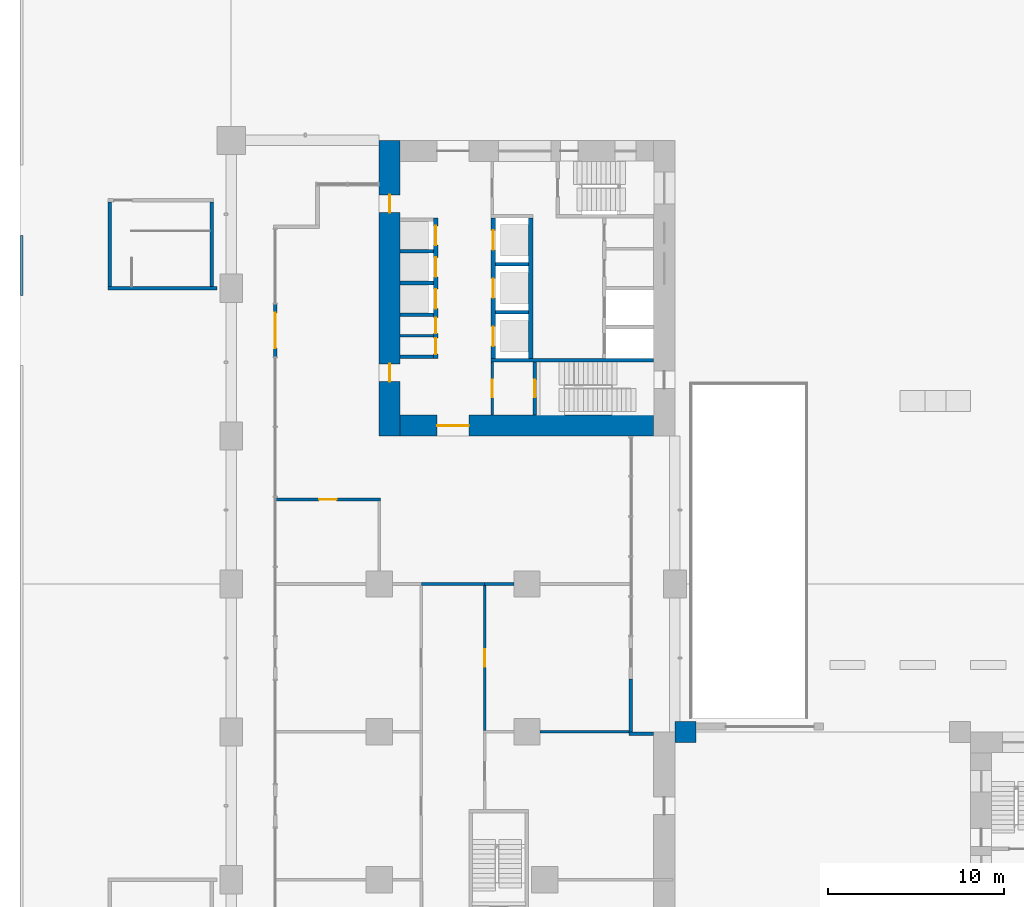
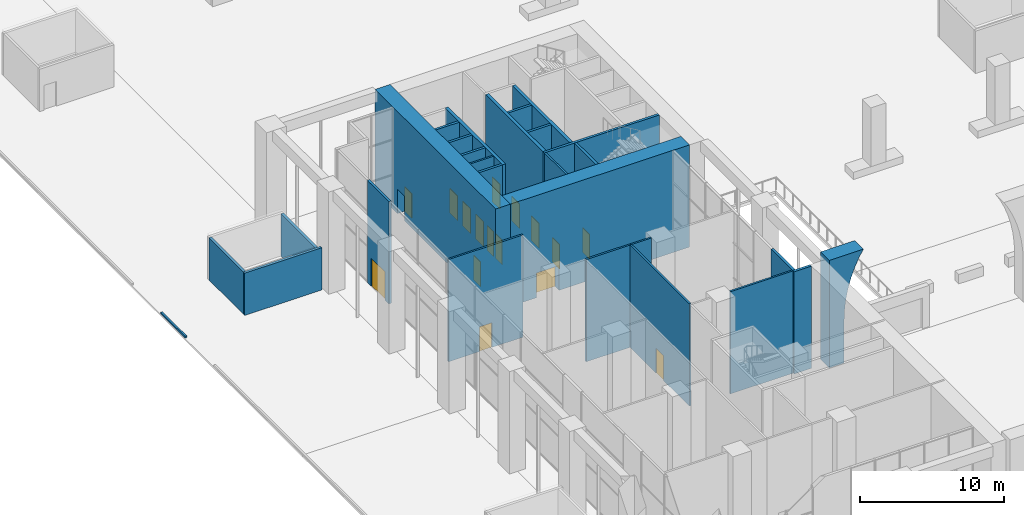
# One storey, part 21 of 46: 28 walls, 16 doors, 16 openings.
"""IFC4 building model written with IfcOpenShell, lengths in metres."""

from ifc_helpers import new_model, si_unit, direction, frame, frame_2d, origin, place, context, subcontext, project, spatial, polyline, rectangle, outline, extrude, material, layer, layer_set, type_object, element, fill, save


model = new_model("IFC4")

# Units and contexts
model_context = context("Model", 3, precision=1e-05, world=origin(), true_north=direction((0.0, 1.0)))
body_context = subcontext(model_context, "Body", "Model", "MODEL_VIEW")
ifc_project = project(units=[si_unit("LENGTHUNIT", "METRE"), si_unit("AREAUNIT", "SQUARE_METRE"), si_unit("VOLUMEUNIT", "CUBIC_METRE"), si_unit("PLANEANGLEUNIT", "RADIAN"), si_unit("MASSUNIT", "GRAM", prefix="KILO")], contexts=[model_context])

# Site, building, storey
site_placement = place(None, origin())
site = spatial("IfcSite", under=ifc_project, at=site_placement, CompositionType="ELEMENT")
building_placement = place(site_placement, origin())
building = spatial("IfcBuilding", under=site, at=building_placement, Name="Vermilion Gate Residences", CompositionType="ELEMENT")
storey_placement = place(building_placement, origin())
storey = spatial("IfcBuildingStorey", under=building, at=storey_placement, Name="L00", CompositionType="ELEMENT", Elevation=0.0)

# Wall
ifc_material_1 = material(Name="Masonry blockwork", Category="masonry")
ifc_layer_1 = layer(ifc_material_1, 0.14990234375)
ifc_layer_set_1 = layer_set([ifc_layer_1], Name="BLOCKWORK PARTITION 150 EI 120")
wall_type_1 = type_object("IfcWallType", Name="BLOCKWORK PARTITION 150 EI 120", PredefinedType="PARTITIONING", material=ifc_layer_set_1)
wall_1_placement = place(storey_placement, frame((9.60009765625, 47.699951171875, 0.0), z_axis=(0.0, 0.0, 1.0), x_axis=(1.0, 0.0, 0.0)))
element("IfcWall", 1, at=wall_1_placement, inside=storey, type_object=wall_type_1, Name="Core room partition B00-SR-P0", PredefinedType="PARTITIONING", context=body_context, shape_type="SweptSolid", body=[
    extrude(rectangle(XDim=1.89990234375, YDim=0.14990234375, at=frame_2d((0.949951171875, 0.0))), origin(), (0.0, 0.0, 1.0), 8.699951171875),
])

# Wall, opening, door
wall_2_placement = place(storey_placement, frame((14.824951171875, 46.199951171875, 0.0), z_axis=(0.0, 0.0, 1.0), x_axis=(0.0, -1.0, 0.0)))
wall_2 = element("IfcWall", 2, at=wall_2_placement, inside=storey, type_object=wall_type_1, Name="Core room partition B00-VE-S", PredefinedType="PARTITIONING", context=body_context, shape_type="SweptSolid", body=[
    extrude(rectangle(XDim=3.0, YDim=0.14990234375, at=frame_2d((1.5, 0.0))), origin(), (0.0, 0.0, 1.0), 8.699951171875),
])
opening_1_placement = place(wall_2_placement, frame((1.0, 0.0, 0.0)))
opening_1 = element("IfcOpeningElement", 3, at=opening_1_placement, cuts=wall_2, Name="Opening DK00121", PredefinedType="OPENING", context=body_context, shape_type="SweptSolid", body=[
    extrude(rectangle(XDim=1.0, YDim=2.10009765625, at=frame_2d((0.5, 1.050048828125))), frame((0.0, 0.0849609375, 0.0), z_axis=(0.0, -1.0, 0.0), x_axis=(1.0, 0.0, 0.0)), (0.0, 0.0, 1.0), 0.169921875),
])
ifc_material_2 = material(Name="Steel", Category="steel")
door_type_1 = type_object("IfcDoorType", Name="FIRE DOOR FD60 1000 X 2100", OperationType="SINGLE_SWING_LEFT", PredefinedType="DOOR", material=ifc_material_2)
door_1_placement = place(opening_1_placement, frame((1.0, 0.0, 0.0), z_axis=(0.0, 0.0, 1.0), x_axis=(-1.0, 0.0, 0.0)))
door_1 = element("IfcDoor", 4, at=door_1_placement, inside=storey, type_object=door_type_1, Name="Stair vestibule door B00", OperationType="SINGLE_SWING_LEFT", OverallHeight=2.10009765625, OverallWidth=1.0, PredefinedType="DOOR", context=body_context, shape_type="SweptSolid", body=[
    extrude(rectangle(XDim=1.0, YDim=2.10009765625, at=frame_2d((0.5, 1.050048828125))), frame((0.0, 0.02490234375, 0.0), z_axis=(0.0, -1.0, 0.0), x_axis=(1.0, 0.0, 0.0)), (0.0, 0.0, 1.0), 0.050048828125),
])
fill(opening_1, door_1)

ifc_material_3 = material(Name="Insulated steel stud wall with terracotta rainscreen", Category="masonry")
ifc_layer_2 = layer(ifc_material_3, 0.199951171875)
ifc_layer_set_2 = layer_set([ifc_layer_2], Name="EXTERNAL WALL 200 TERRACOTTA RAINSCREEN")
wall_type_2 = type_object("IfcWallType", Name="EXTERNAL WALL 200 TERRACOTTA RAINSCREEN", PredefinedType="SOLIDWALL", material=ifc_layer_set_2)
wall_3_placement = place(storey_placement, frame((2.5, 49.5, 0.0), z_axis=(0.0, 0.0, 1.0), x_axis=(0.0, -1.0, 0.0)))
wall_3 = element("IfcWall", 5, at=wall_3_placement, inside=storey, type_object=wall_type_2, Name="External wall", PredefinedType="SOLIDWALL", context=body_context, shape_type="SweptSolid", body=[
    extrude(rectangle(XDim=3.0, YDim=0.199951171875, at=frame_2d((1.5, 0.0))), origin(), (0.0, 0.0, 1.0), 8.699951171875),
])
opening_2_placement = place(wall_3_placement, frame((0.5, 0.0, 0.0)))
opening_2 = element("IfcOpeningElement", 6, at=opening_2_placement, cuts=wall_3, Name="Opening DE00001", PredefinedType="OPENING", context=body_context, shape_type="SweptSolid", body=[
    extrude(rectangle(XDim=2.0, YDim=2.39990234375, at=frame_2d((1.0, 1.199951171875))), frame((0.0, 0.10986328125, 0.0), z_axis=(0.0, -1.0, 0.0), x_axis=(1.0, 0.0, 0.0)), (0.0, 0.0, 1.0), 0.219970703125),
])
ifc_material_4 = material(Name="Aluminium and clear glass", Category="aluminium")
door_type_2 = type_object("IfcDoorType", Name="GLAZED EXTERNAL DOOR 2000 X 2400", OperationType="DOUBLE_DOOR_SINGLE_SWING", PredefinedType="DOOR", material=ifc_material_4)
door_2_placement = place(opening_2_placement, frame((2.0, 0.0, 0.0), z_axis=(0.0, 0.0, 1.0), x_axis=(-1.0, 0.0, 0.0)))
door_2 = element("IfcDoor", 7, at=door_2_placement, inside=storey, type_object=door_type_2, Name="Entrance door", OperationType="DOUBLE_DOOR_SINGLE_SWING", OverallHeight=2.39990234375, OverallWidth=2.0, PredefinedType="DOOR", context=body_context, shape_type="SweptSolid", body=[
    extrude(rectangle(XDim=2.0, YDim=2.39990234375, at=frame_2d((1.0, 1.199951171875))), frame((0.0, 0.02490234375, 0.0), z_axis=(0.0, -1.0, 0.0), x_axis=(1.0, 0.0, 0.0)), (0.0, 0.0, 1.0), 0.050048828125),
])
fill(opening_2, door_2)

# Walls
wall_4_placement = place(storey_placement, frame((24.0, 25.10009765625, 0.0), z_axis=(0.0, 0.0, 1.0), x_axis=(-1.0, 0.0, 0.0)))
element("IfcWall", 8, at=wall_4_placement, inside=storey, type_object=wall_type_2, Name="External wall", PredefinedType="SOLIDWALL", context=body_context, shape_type="SweptSolid", body=[
    extrude(rectangle(XDim=1.39990234375, YDim=0.199951171875, at=frame_2d((0.699951171875, 0.0))), origin(), (0.0, 0.0, 1.0), 8.699951171875),
])
wall_5_placement = place(storey_placement, frame((22.699951171875, 25.199951171875, 0.0), z_axis=(0.0, 0.0, 1.0), x_axis=(0.0, 1.0, 0.0)))
element("IfcWall", 9, at=wall_5_placement, inside=storey, type_object=wall_type_2, Name="External wall", PredefinedType="SOLIDWALL", context=body_context, shape_type="SweptSolid", body=[
    extrude(rectangle(XDim=3.0, YDim=0.199951171875, at=frame_2d((1.5, 0.0))), origin(), (0.0, 0.0, 1.0), 8.699951171875),
])
ifc_material_5 = material(Name="Concrete C35", Category="concrete")
ifc_layer_3 = layer(ifc_material_5, 0.14990234375)
ifc_layer_set_3 = layer_set([ifc_layer_3], Name="KERB 150 X 150 C35 (MARKET HALL)")
wall_type_3 = type_object("IfcWallType", Name="KERB 150 X 150 C35 (MARKET HALL)", PredefinedType="SOLIDWALL", material=ifc_layer_set_3)
wall_6_placement = place(storey_placement, frame((-11.905029296875, 50.0, 0.0), z_axis=(0.0, 0.0, 1.0), x_axis=(0.0, 1.0, 0.0)))
element("IfcWall", 10, at=wall_6_placement, inside=storey, type_object=wall_type_3, Name="Kerb west edge 3", PredefinedType="SOLIDWALL", context=body_context, shape_type="SweptSolid", body=[
    extrude(rectangle(XDim=3.39990234375, YDim=0.14990234375, at=frame_2d((1.699951171875, 0.0))), origin(), (0.0, 0.0, 1.0), 0.14990234375),
])

# Wall, opening, door
ifc_material_6 = material(Name="Gypsum board on steel studs", Category="steel")
ifc_layer_4 = layer(ifc_material_6, 0.14990234375)
ifc_layer_set_4 = layer_set([ifc_layer_4], Name="PARTITION 150 EI 60 (AMENITY)")
wall_type_4 = type_object("IfcWallType", Name="PARTITION 150 EI 60 (AMENITY)", PredefinedType="PARTITIONING", material=ifc_layer_set_4)
wall_7_placement = place(storey_placement, frame((2.5, 38.39990234375, 0.0), z_axis=(0.0, 0.0, 1.0), x_axis=(1.0, 0.0, 0.0)))
wall_7 = element("IfcWall", 11, at=wall_7_placement, inside=storey, type_object=wall_type_4, Name="Partition 8", PredefinedType="PARTITIONING", context=body_context, shape_type="SweptSolid", body=[
    extrude(rectangle(XDim=5.97509765625, YDim=0.14990234375, at=frame_2d((2.987548828125, 0.0))), origin(), (0.0, 0.0, 1.0), 8.699951171875),
])
opening_3_placement = place(wall_7_placement, frame((2.487548828125, 0.0, 0.0)))
opening_3 = element("IfcOpeningElement", 12, at=opening_3_placement, cuts=wall_7, Name="Opening DM00008", PredefinedType="OPENING", context=body_context, shape_type="SweptSolid", body=[
    extrude(rectangle(XDim=1.0, YDim=2.10009765625, at=frame_2d((0.5, 1.050048828125))), frame((0.0, 0.0849609375, 0.0), z_axis=(0.0, -1.0, 0.0), x_axis=(1.0, 0.0, 0.0)), (0.0, 0.0, 1.0), 0.169921875),
])
ifc_material_7 = material(Name="Steel", Category="steel")
door_type_3 = type_object("IfcDoorType", Name="DOOR 1000 X 2100 FD30 (AMENITY)", OperationType="SINGLE_SWING_LEFT", PredefinedType="DOOR", material=ifc_material_7)
door_3_placement = place(opening_3_placement, frame((1.0, 0.0, 0.0), z_axis=(0.0, 0.0, 1.0), x_axis=(-1.0, 0.0, 0.0)))
door_3 = element("IfcDoor", 13, at=door_3_placement, inside=storey, type_object=door_type_3, Name="Door L00 8", OperationType="SINGLE_SWING_LEFT", OverallHeight=2.10009765625, OverallWidth=1.0, PredefinedType="DOOR", context=body_context, shape_type="SweptSolid", body=[
    extrude(rectangle(XDim=1.0, YDim=2.10009765625, at=frame_2d((0.5, 1.050048828125))), frame((0.0, 0.02490234375, 0.0), z_axis=(0.0, -1.0, 0.0), x_axis=(1.0, 0.0, 0.0)), (0.0, 0.0, 1.0), 0.050048828125),
])
fill(opening_3, door_3)

# Wall
wall_8_placement = place(storey_placement, frame((10.800048828125, 33.60009765625, 0.0), z_axis=(0.0, 0.0, 1.0), x_axis=(1.0, 0.0, 0.0)))
element("IfcWall", 14, at=wall_8_placement, inside=storey, type_object=wall_type_4, Name="Partition 15", PredefinedType="PARTITIONING", context=body_context, shape_type="SweptSolid", body=[
    extrude(rectangle(XDim=3.599853515625, YDim=0.14990234375, at=frame_2d((1.7998046875, 0.0))), origin(), (0.0, 0.0, 1.0), 8.699951171875),
])

# Wall, opening, door
wall_9_placement = place(storey_placement, frame((14.39990234375, 25.27490234375, 0.0), z_axis=(0.0, 0.0, 1.0), x_axis=(0.0, 1.0, 0.0)))
wall_9 = element("IfcWall", 15, at=wall_9_placement, inside=storey, type_object=wall_type_4, Name="Partition 20", PredefinedType="PARTITIONING", context=body_context, shape_type="SweptSolid", body=[
    extrude(rectangle(XDim=8.25, YDim=0.14990234375, at=frame_2d((4.125, 0.0))), origin(), (0.0, 0.0, 1.0), 8.699951171875),
])
opening_4_placement = place(wall_9_placement, frame((3.625, 0.0, 0.0)))
opening_4 = element("IfcOpeningElement", 16, at=opening_4_placement, cuts=wall_9, Name="Opening DM00006", PredefinedType="OPENING", context=body_context, shape_type="SweptSolid", body=[
    extrude(rectangle(XDim=1.0, YDim=2.10009765625, at=frame_2d((0.5, 1.050048828125))), frame((0.0, 0.0849609375, 0.0), z_axis=(0.0, -1.0, 0.0), x_axis=(1.0, 0.0, 0.0)), (0.0, 0.0, 1.0), 0.169921875),
])
ifc_material_8 = material(Name="Glass", Category="glass")
door_type_4 = type_object("IfcDoorType", Name="GLASS DOOR 1000 X 2100 (AMENITY)", OperationType="SINGLE_SWING_LEFT", PredefinedType="DOOR", material=ifc_material_8)
door_4_placement = place(opening_4_placement, frame((1.0, 0.0, 0.0), z_axis=(0.0, 0.0, 1.0), x_axis=(-1.0, 0.0, 0.0)))
door_4 = element("IfcDoor", 17, at=door_4_placement, inside=storey, type_object=door_type_4, Name="Door L00 6", OperationType="SINGLE_SWING_RIGHT", OverallHeight=2.10009765625, OverallWidth=1.0, PredefinedType="DOOR", context=body_context, shape_type="SweptSolid", body=[
    extrude(rectangle(XDim=1.0, YDim=2.10009765625, at=frame_2d((0.5, 1.050048828125))), frame((0.0, 0.02490234375, 0.0), z_axis=(0.0, -1.0, 0.0), x_axis=(1.0, 0.0, 0.0)), (0.0, 0.0, 1.0), 0.050048828125),
])
fill(opening_4, door_4)

# Walls
wall_10_placement = place(storey_placement, frame((17.550048828125, 25.199951171875, 0.0), z_axis=(0.0, 0.0, 1.0), x_axis=(1.0, 0.0, 0.0)))
element("IfcWall", 18, at=wall_10_placement, inside=storey, type_object=wall_type_4, Name="Partition 22", PredefinedType="PARTITIONING", context=body_context, shape_type="SweptSolid", body=[
    extrude(rectangle(XDim=5.14990234375, YDim=0.14990234375, at=frame_2d((2.574951171875, 0.0))), origin(), (0.0, 0.0, 1.0), 8.699951171875),
])
wall_11_placement = place(storey_placement, frame((14.39990234375, 33.60009765625, 0.0), z_axis=(0.0, 0.0, 1.0), x_axis=(1.0, 0.0, 0.0)))
element("IfcWall", 19, at=wall_11_placement, inside=storey, type_object=wall_type_4, Name="Partition 23", PredefinedType="PARTITIONING", context=body_context, shape_type="SweptSolid", body=[
    extrude(rectangle(XDim=1.650146484375, YDim=0.14990234375, at=frame_2d((0.8251953125, 0.0))), origin(), (0.0, 0.0, 1.0), 8.699951171875),
])
ifc_material_9 = material(Name="Concrete C60", Category="concrete")
ifc_layer_5 = layer(ifc_material_9, 0.199951171875)
ifc_layer_set_5 = layer_set([ifc_layer_5], Name="RC CORE INTERNAL WALL 200 C60")
wall_type_5 = type_object("IfcWallType", Name="RC CORE INTERNAL WALL 200 C60", PredefinedType="SHEAR", material=ifc_layer_set_5)
for number, where, z_axis, x_axis, name in (
    (20, (9.60009765625, 52.5, 0.0), (0.0, 0.0, 1.0), (1.0, 0.0, 0.0), "Core internal wall B00-LR-D1"),
    (21, (9.60009765625, 50.699951171875, 0.0), (0.0, 0.0, 1.0), (1.0, 0.0, 0.0), "Core internal wall B00-LR-D2"),
    (22, (9.60009765625, 48.89990234375, 0.0), (0.0, 0.0, 1.0), (1.0, 0.0, 0.0), "Core internal wall B00-LR-D3"),
    (23, (9.60009765625, 46.5, 0.0), (0.0, 0.0, 1.0), (1.0, 0.0, 0.0), "Core internal wall B00-LR-DE"),
    (24, (15.0, 51.7666015625, 0.0), (0.0, 0.0, 1.0), (1.0, 0.0, 0.0), "Core internal wall B00-HR-D1"),
    (25, (15.0, 49.033447265625, 0.0), (0.0, 0.0, 1.0), (1.0, 0.0, 0.0), "Core internal wall B00-HR-D2"),
):
    element("IfcWall", number, at=place(storey_placement, frame(where, z_axis=z_axis, x_axis=x_axis)), inside=storey, type_object=wall_type_5, Name=name, PredefinedType="SHEAR", context=body_context, shape_type="SweptSolid", body=[
        extrude(rectangle(XDim=1.89990234375, YDim=0.199951171875, at=frame_2d((0.949951171875, 0.0))), origin(), (0.0, 0.0, 1.0), 8.699951171875),
    ])
wall_12_placement = place(storey_placement, frame((14.75, 46.300048828125, 0.0), z_axis=(0.0, 0.0, 1.0), x_axis=(1.0, 0.0, 0.0)))
element("IfcWall", 26, at=wall_12_placement, inside=storey, type_object=wall_type_5, Name="Core internal wall B00-EDIV", PredefinedType="SHEAR", context=body_context, shape_type="SweptSolid", body=[
    extrude(rectangle(XDim=9.25, YDim=0.199951171875, at=frame_2d((4.625, 0.0))), origin(), (0.0, 0.0, 1.0), 8.699951171875),
])

# Wall, opening, door
wall_13_placement = place(storey_placement, frame((17.25, 46.199951171875, 0.0), z_axis=(0.0, 0.0, 1.0), x_axis=(0.0, -1.0, 0.0)))
wall_13 = element("IfcWall", 27, at=wall_13_placement, inside=storey, type_object=wall_type_5, Name="Core internal wall B00-STE-S", PredefinedType="SHEAR", context=body_context, shape_type="SweptSolid", body=[
    extrude(rectangle(XDim=3.0, YDim=0.199951171875, at=frame_2d((1.5, 0.0))), origin(), (0.0, 0.0, 1.0), 8.699951171875),
])
opening_5_placement = place(wall_13_placement, frame((1.0, 0.0, 0.0)))
opening_5 = element("IfcOpeningElement", 28, at=opening_5_placement, cuts=wall_13, Name="Opening DK00122", PredefinedType="OPENING", context=body_context, shape_type="SweptSolid", body=[
    extrude(rectangle(XDim=1.0, YDim=2.10009765625, at=frame_2d((0.5, 1.050048828125))), frame((0.0, 0.10986328125, 0.0), z_axis=(0.0, -1.0, 0.0), x_axis=(1.0, 0.0, 0.0)), (0.0, 0.0, 1.0), 0.219970703125),
])
door_5_placement = place(opening_5_placement, origin())
door_5 = element("IfcDoor", 29, at=door_5_placement, inside=storey, type_object=door_type_1, Name="Stair door B00", OperationType="SINGLE_SWING_LEFT", OverallHeight=2.10009765625, OverallWidth=1.0, PredefinedType="DOOR", context=body_context, shape_type="SweptSolid", body=[
    extrude(rectangle(XDim=1.0, YDim=2.10009765625, at=frame_2d((0.5, 1.050048828125))), frame((0.0, 0.02490234375, 0.0), z_axis=(0.0, -1.0, 0.0), x_axis=(1.0, 0.0, 0.0)), (0.0, 0.0, 1.0), 0.050048828125),
])
fill(opening_5, door_5)

# Wall, openings, doors
ifc_material_10 = material(Name="Concrete C80", Category="concrete")
ifc_layer_6 = layer(ifc_material_10, 1.199951171875)
ifc_layer_set_6 = layer_set([ifc_layer_6], Name="RC CORE WALL 1200 C80")
wall_type_6 = type_object("IfcWallType", Name="RC CORE WALL 1200 C80", PredefinedType="SHEAR", material=ifc_layer_set_6)
wall_14_placement = place(storey_placement, frame((9.0, 58.800048828125, 0.0), z_axis=(0.0, 0.0, 1.0), x_axis=(0.0, -1.0, 0.0)))
wall_14 = element("IfcWall", 30, at=wall_14_placement, inside=storey, type_object=wall_type_6, Name="Core wall B00-OUT-B0", PredefinedType="SHEAR", context=body_context, shape_type="SweptSolid", body=[
    extrude(rectangle(XDim=16.800048828125, YDim=1.199951171875, at=frame_2d((8.39990234375, 0.0))), origin(), (0.0, 0.0, 1.0), 8.699951171875),
])
opening_6_placement = place(wall_14_placement, frame((3.10009765625, 0.0, 0.0)))
opening_6 = element("IfcOpeningElement", 31, at=opening_6_placement, cuts=wall_14, Name="Opening DK00101", PredefinedType="OPENING", context=body_context, shape_type="SweptSolid", body=[
    extrude(rectangle(XDim=1.0, YDim=2.10009765625, at=frame_2d((0.5, 1.050048828125))), frame((0.0, 0.60986328125, 0.0), z_axis=(0.0, -1.0, 0.0), x_axis=(1.0, 0.0, 0.0)), (0.0, 0.0, 1.0), 1.219970703125),
])
opening_7_placement = place(wall_14_placement, frame((12.699951171875, 0.0, 0.0)))
opening_7 = element("IfcOpeningElement", 32, at=opening_7_placement, cuts=wall_14, Name="Opening DK00102", PredefinedType="OPENING", context=body_context, shape_type="SweptSolid", body=[
    extrude(rectangle(XDim=1.0, YDim=2.10009765625, at=frame_2d((0.5, 1.050048828125))), frame((0.0, 0.60986328125, 0.0), z_axis=(0.0, -1.0, 0.0), x_axis=(1.0, 0.0, 0.0)), (0.0, 0.0, 1.0), 1.219970703125),
])
door_6_placement = place(opening_6_placement, origin())
door_6 = element("IfcDoor", 33, at=door_6_placement, inside=storey, type_object=door_type_1, Name="Core lobby side door B00", OperationType="SINGLE_SWING_RIGHT", OverallHeight=2.10009765625, OverallWidth=1.0, PredefinedType="DOOR", context=body_context, shape_type="SweptSolid", body=[
    extrude(rectangle(XDim=1.0, YDim=2.10009765625, at=frame_2d((0.5, 1.050048828125))), frame((0.0, 0.02490234375, 0.0), z_axis=(0.0, -1.0, 0.0), x_axis=(1.0, 0.0, 0.0)), (0.0, 0.0, 1.0), 0.050048828125),
])
fill(opening_6, door_6)
door_7_placement = place(opening_7_placement, origin())
door_7 = element("IfcDoor", 34, at=door_7_placement, inside=storey, type_object=door_type_1, Name="Core lobby side door B00", OperationType="SINGLE_SWING_LEFT", OverallHeight=2.10009765625, OverallWidth=1.0, PredefinedType="DOOR", context=body_context, shape_type="SweptSolid", body=[
    extrude(rectangle(XDim=1.0, YDim=2.10009765625, at=frame_2d((0.5, 1.050048828125))), frame((0.0, 0.02490234375, 0.0), z_axis=(0.0, -1.0, 0.0), x_axis=(1.0, 0.0, 0.0)), (0.0, 0.0, 1.0), 0.050048828125),
])
fill(opening_7, door_7)

# Wall, opening, door
wall_15_placement = place(storey_placement, frame((9.60009765625, 42.60009765625, 0.0), z_axis=(0.0, 0.0, 1.0), x_axis=(1.0, 0.0, 0.0)))
wall_15 = element("IfcWall", 35, at=wall_15_placement, inside=storey, type_object=wall_type_6, Name="Core wall B00-OUT-BK", PredefinedType="SHEAR", context=body_context, shape_type="SweptSolid", body=[
    extrude(rectangle(XDim=14.39990234375, YDim=1.199951171875, at=frame_2d((7.199951171875, 0.0))), origin(), (0.0, 0.0, 1.0), 8.699951171875),
])
opening_8_placement = place(wall_15_placement, frame((2.10009765625, 0.0, 0.0)))
opening_8 = element("IfcOpeningElement", 36, at=opening_8_placement, cuts=wall_15, Name="Opening DK00106", PredefinedType="OPENING", context=body_context, shape_type="SweptSolid", body=[
    extrude(rectangle(XDim=1.800048828125, YDim=2.10009765625, at=frame_2d((0.89990234375, 1.050048828125))), frame((0.0, 0.60986328125, 0.0), z_axis=(0.0, -1.0, 0.0), x_axis=(1.0, 0.0, 0.0)), (0.0, 0.0, 1.0), 1.219970703125),
])
ifc_material_11 = material(Name="Steel", Category="steel")
door_type_5 = type_object("IfcDoorType", Name="CORE LOBBY DOOR FD60 1800 X 2100", OperationType="DOUBLE_DOOR_SINGLE_SWING", PredefinedType="DOOR", material=ifc_material_11)
door_8_placement = place(opening_8_placement, frame((1.800048828125, 0.0, 0.0), z_axis=(0.0, 0.0, 1.0), x_axis=(-1.0, 0.0, 0.0)))
door_8 = element("IfcDoor", 37, at=door_8_placement, inside=storey, type_object=door_type_5, Name="Core lobby door B00", OperationType="DOUBLE_DOOR_SINGLE_SWING", OverallHeight=2.10009765625, OverallWidth=1.800048828125, PredefinedType="DOOR", context=body_context, shape_type="SweptSolid", body=[
    extrude(rectangle(XDim=1.800048828125, YDim=2.10009765625, at=frame_2d((0.89990234375, 1.050048828125))), frame((0.0, 0.02490234375, 0.0), z_axis=(0.0, -1.0, 0.0), x_axis=(1.0, 0.0, 0.0)), (0.0, 0.0, 1.0), 0.050048828125),
])
fill(opening_8, door_8)

# Wall, openings, doors
ifc_material_12 = material(Name="Concrete C60", Category="concrete")
ifc_layer_7 = layer(ifc_material_12, 0.25)
ifc_layer_set_7 = layer_set([ifc_layer_7], Name="RC LIFT SHAFT WALL 250 C60")
wall_type_7 = type_object("IfcWallType", Name="RC LIFT SHAFT WALL 250 C60", PredefinedType="SHEAR", material=ifc_layer_set_7)
wall_16_placement = place(storey_placement, frame((11.625, 54.39990234375, 0.0), z_axis=(0.0, 0.0, 1.0), x_axis=(0.0, -1.0, 0.0)))
wall_16 = element("IfcWall", 38, at=wall_16_placement, inside=storey, type_object=wall_type_7, Name="Lift shaft wall B00-LR-F", PredefinedType="SHEAR", context=body_context, shape_type="SweptSolid", body=[
    extrude(rectangle(XDim=8.0, YDim=0.25, at=frame_2d((4.0, 0.0))), origin(), (0.0, 0.0, 1.0), 8.699951171875),
])
opening_9_placement = place(wall_16_placement, frame((0.449951171875, 0.0, 0.0)))
opening_9 = element("IfcOpeningElement", 39, at=opening_9_placement, cuts=wall_16, Name="Opening LD", PredefinedType="OPENING", context=body_context, shape_type="SweptSolid", body=[
    extrude(rectangle(XDim=1.10009765625, YDim=2.10009765625, at=frame_2d((0.550048828125, 1.050048828125))), frame((0.0, 0.135009765625, 0.0), z_axis=(0.0, -1.0, 0.0), x_axis=(1.0, 0.0, 0.0)), (0.0, 0.0, 1.0), 0.27001953125),
])
opening_10_placement = place(wall_16_placement, frame((2.25, 0.0, 0.0)))
opening_10 = element("IfcOpeningElement", 40, at=opening_10_placement, cuts=wall_16, Name="Opening LD", PredefinedType="OPENING", context=body_context, shape_type="SweptSolid", body=[
    extrude(rectangle(XDim=1.10009765625, YDim=2.10009765625, at=frame_2d((0.550048828125, 1.050048828125))), frame((0.0, 0.135009765625, 0.0), z_axis=(0.0, -1.0, 0.0), x_axis=(1.0, 0.0, 0.0)), (0.0, 0.0, 1.0), 0.27001953125),
])
opening_11_placement = place(wall_16_placement, frame((4.050048828125, 0.0, 0.0)))
opening_11 = element("IfcOpeningElement", 41, at=opening_11_placement, cuts=wall_16, Name="Opening LD", PredefinedType="OPENING", context=body_context, shape_type="SweptSolid", body=[
    extrude(rectangle(XDim=1.10009765625, YDim=2.10009765625, at=frame_2d((0.550048828125, 1.050048828125))), frame((0.0, 0.135009765625, 0.0), z_axis=(0.0, -1.0, 0.0), x_axis=(1.0, 0.0, 0.0)), (0.0, 0.0, 1.0), 0.27001953125),
])
opening_12_placement = place(wall_16_placement, frame((5.66259765625, 0.0, 0.0)))
opening_12 = element("IfcOpeningElement", 42, at=opening_12_placement, cuts=wall_16, Name="Opening DK00110", PredefinedType="OPENING", context=body_context, shape_type="SweptSolid", body=[
    extrude(rectangle(XDim=0.89990234375, YDim=2.10009765625, at=frame_2d((0.449951171875, 1.050048828125))), frame((0.0, 0.135009765625, 0.0), z_axis=(0.0, -1.0, 0.0), x_axis=(1.0, 0.0, 0.0)), (0.0, 0.0, 1.0), 0.27001953125),
])
opening_13_placement = place(wall_16_placement, frame((6.83740234375, 0.0, 0.0)))
opening_13 = element("IfcOpeningElement", 43, at=opening_13_placement, cuts=wall_16, Name="Opening DK00111", PredefinedType="OPENING", context=body_context, shape_type="SweptSolid", body=[
    extrude(rectangle(XDim=0.89990234375, YDim=2.10009765625, at=frame_2d((0.449951171875, 1.050048828125))), frame((0.0, 0.135009765625, 0.0), z_axis=(0.0, -1.0, 0.0), x_axis=(1.0, 0.0, 0.0)), (0.0, 0.0, 1.0), 0.27001953125),
])
ifc_material_13 = material(Name="Stainless steel", Category="steel")
door_type_6 = type_object("IfcDoorType", Name="LIFT LANDING DOOR E60 1100 X 2100", OperationType="DOUBLE_DOOR_SLIDING", PredefinedType="DOOR", material=ifc_material_13)
door_9_placement = place(opening_9_placement, origin())
door_9 = element("IfcDoor", 44, at=door_9_placement, inside=storey, type_object=door_type_6, Name="Lift landing door LRB1", OperationType="DOUBLE_DOOR_SLIDING", OverallHeight=2.10009765625, OverallWidth=1.10009765625, PredefinedType="DOOR", context=body_context, shape_type="SweptSolid", body=[
    extrude(rectangle(XDim=1.10009765625, YDim=2.10009765625, at=frame_2d((0.550048828125, 1.050048828125))), frame((0.0, 0.02490234375, 0.0), z_axis=(0.0, -1.0, 0.0), x_axis=(1.0, 0.0, 0.0)), (0.0, 0.0, 1.0), 0.050048828125),
])
fill(opening_9, door_9)
door_10_placement = place(opening_10_placement, origin())
door_10 = element("IfcDoor", 45, at=door_10_placement, inside=storey, type_object=door_type_6, Name="Lift landing door LRB2", OperationType="DOUBLE_DOOR_SLIDING", OverallHeight=2.10009765625, OverallWidth=1.10009765625, PredefinedType="DOOR", context=body_context, shape_type="SweptSolid", body=[
    extrude(rectangle(XDim=1.10009765625, YDim=2.10009765625, at=frame_2d((0.550048828125, 1.050048828125))), frame((0.0, 0.02490234375, 0.0), z_axis=(0.0, -1.0, 0.0), x_axis=(1.0, 0.0, 0.0)), (0.0, 0.0, 1.0), 0.050048828125),
])
fill(opening_10, door_10)
door_11_placement = place(opening_11_placement, origin())
door_11 = element("IfcDoor", 46, at=door_11_placement, inside=storey, type_object=door_type_6, Name="Lift landing door LRB3", OperationType="DOUBLE_DOOR_SLIDING", OverallHeight=2.10009765625, OverallWidth=1.10009765625, PredefinedType="DOOR", context=body_context, shape_type="SweptSolid", body=[
    extrude(rectangle(XDim=1.10009765625, YDim=2.10009765625, at=frame_2d((0.550048828125, 1.050048828125))), frame((0.0, 0.02490234375, 0.0), z_axis=(0.0, -1.0, 0.0), x_axis=(1.0, 0.0, 0.0)), (0.0, 0.0, 1.0), 0.050048828125),
])
fill(opening_11, door_11)
ifc_material_14 = material(Name="Steel", Category="steel")
door_type_7 = type_object("IfcDoorType", Name="SERVICE ROOM DOOR FD60 900 X 2100", OperationType="SINGLE_SWING_LEFT", PredefinedType="DOOR", material=ifc_material_14)
door_12_placement = place(opening_12_placement, frame((0.89990234375, 0.0, 0.0), z_axis=(0.0, 0.0, 1.0), x_axis=(-1.0, 0.0, 0.0)))
door_12 = element("IfcDoor", 47, at=door_12_placement, inside=storey, type_object=door_type_7, Name="Mail room B00", OperationType="SINGLE_SWING_LEFT", OverallHeight=2.10009765625, OverallWidth=0.89990234375, PredefinedType="DOOR", context=body_context, shape_type="SweptSolid", body=[
    extrude(rectangle(XDim=0.89990234375, YDim=2.10009765625, at=frame_2d((0.449951171875, 1.050048828125))), frame((0.0, 0.02490234375, 0.0), z_axis=(0.0, -1.0, 0.0), x_axis=(1.0, 0.0, 0.0)), (0.0, 0.0, 1.0), 0.050048828125),
])
fill(opening_12, door_12)
door_13_placement = place(opening_13_placement, frame((0.89990234375, 0.0, 0.0), z_axis=(0.0, 0.0, 1.0), x_axis=(-1.0, 0.0, 0.0)))
door_13 = element("IfcDoor", 48, at=door_13_placement, inside=storey, type_object=door_type_7, Name="Cleaner's store B00", OperationType="SINGLE_SWING_LEFT", OverallHeight=2.10009765625, OverallWidth=0.89990234375, PredefinedType="DOOR", context=body_context, shape_type="SweptSolid", body=[
    extrude(rectangle(XDim=0.89990234375, YDim=2.10009765625, at=frame_2d((0.449951171875, 1.050048828125))), frame((0.0, 0.02490234375, 0.0), z_axis=(0.0, -1.0, 0.0), x_axis=(1.0, 0.0, 0.0)), (0.0, 0.0, 1.0), 0.050048828125),
])
fill(opening_13, door_13)

wall_17_placement = place(storey_placement, frame((14.875, 54.39990234375, 0.0), z_axis=(0.0, 0.0, 1.0), x_axis=(0.0, -1.0, 0.0)))
wall_17 = element("IfcWall", 49, at=wall_17_placement, inside=storey, type_object=wall_type_7, Name="Lift shaft wall B00-HR-F", PredefinedType="SHEAR", context=body_context, shape_type="SweptSolid", body=[
    extrude(rectangle(XDim=8.0, YDim=0.25, at=frame_2d((4.0, 0.0))), origin(), (0.0, 0.0, 1.0), 8.699951171875),
])
opening_14_placement = place(wall_17_placement, frame((0.716552734375, 0.0, 0.0)))
opening_14 = element("IfcOpeningElement", 50, at=opening_14_placement, cuts=wall_17, Name="Opening LD", PredefinedType="OPENING", context=body_context, shape_type="SweptSolid", body=[
    extrude(rectangle(XDim=1.10009765625, YDim=2.10009765625, at=frame_2d((0.550048828125, 1.050048828125))), frame((0.0, 0.135009765625, 0.0), z_axis=(0.0, -1.0, 0.0), x_axis=(1.0, 0.0, 0.0)), (0.0, 0.0, 1.0), 0.27001953125),
])
opening_15_placement = place(wall_17_placement, frame((3.449951171875, 0.0, 0.0)))
opening_15 = element("IfcOpeningElement", 51, at=opening_15_placement, cuts=wall_17, Name="Opening LD", PredefinedType="OPENING", context=body_context, shape_type="SweptSolid", body=[
    extrude(rectangle(XDim=1.10009765625, YDim=2.10009765625, at=frame_2d((0.550048828125, 1.050048828125))), frame((0.0, 0.135009765625, 0.0), z_axis=(0.0, -1.0, 0.0), x_axis=(1.0, 0.0, 0.0)), (0.0, 0.0, 1.0), 0.27001953125),
])
opening_16_placement = place(wall_17_placement, frame((6.183349609375, 0.0, 0.0)))
opening_16 = element("IfcOpeningElement", 52, at=opening_16_placement, cuts=wall_17, Name="Opening LD", PredefinedType="OPENING", context=body_context, shape_type="SweptSolid", body=[
    extrude(rectangle(XDim=1.10009765625, YDim=2.10009765625, at=frame_2d((0.550048828125, 1.050048828125))), frame((0.0, 0.135009765625, 0.0), z_axis=(0.0, -1.0, 0.0), x_axis=(1.0, 0.0, 0.0)), (0.0, 0.0, 1.0), 0.27001953125),
])
door_14_placement = place(opening_14_placement, origin())
door_14 = element("IfcDoor", 53, at=door_14_placement, inside=storey, type_object=door_type_6, Name="Lift landing door HRB1", OperationType="DOUBLE_DOOR_SLIDING", OverallHeight=2.10009765625, OverallWidth=1.10009765625, PredefinedType="DOOR", context=body_context, shape_type="SweptSolid", body=[
    extrude(rectangle(XDim=1.10009765625, YDim=2.10009765625, at=frame_2d((0.550048828125, 1.050048828125))), frame((0.0, 0.02490234375, 0.0), z_axis=(0.0, -1.0, 0.0), x_axis=(1.0, 0.0, 0.0)), (0.0, 0.0, 1.0), 0.050048828125),
])
fill(opening_14, door_14)
door_15_placement = place(opening_15_placement, origin())
door_15 = element("IfcDoor", 54, at=door_15_placement, inside=storey, type_object=door_type_6, Name="Lift landing door HRB2", OperationType="DOUBLE_DOOR_SLIDING", OverallHeight=2.10009765625, OverallWidth=1.10009765625, PredefinedType="DOOR", context=body_context, shape_type="SweptSolid", body=[
    extrude(rectangle(XDim=1.10009765625, YDim=2.10009765625, at=frame_2d((0.550048828125, 1.050048828125))), frame((0.0, 0.02490234375, 0.0), z_axis=(0.0, -1.0, 0.0), x_axis=(1.0, 0.0, 0.0)), (0.0, 0.0, 1.0), 0.050048828125),
])
fill(opening_15, door_15)
door_16_placement = place(opening_16_placement, origin())
door_16 = element("IfcDoor", 55, at=door_16_placement, inside=storey, type_object=door_type_6, Name="Lift landing door HRB3", OperationType="DOUBLE_DOOR_SLIDING", OverallHeight=2.10009765625, OverallWidth=1.10009765625, PredefinedType="DOOR", context=body_context, shape_type="SweptSolid", body=[
    extrude(rectangle(XDim=1.10009765625, YDim=2.10009765625, at=frame_2d((0.550048828125, 1.050048828125))), frame((0.0, 0.02490234375, 0.0), z_axis=(0.0, -1.0, 0.0), x_axis=(1.0, 0.0, 0.0)), (0.0, 0.0, 1.0), 0.050048828125),
])
fill(opening_16, door_16)

# Walls
wall_18_placement = place(storey_placement, frame((17.02490234375, 54.39990234375, 0.0), z_axis=(0.0, 0.0, 1.0), x_axis=(0.0, -1.0, 0.0)))
element("IfcWall", 56, at=wall_18_placement, inside=storey, type_object=wall_type_7, Name="Lift shaft wall B00-HR-B", PredefinedType="SHEAR", context=body_context, shape_type="SweptSolid", body=[
    extrude(rectangle(XDim=8.0, YDim=0.25, at=frame_2d((4.0, 0.0))), origin(), (0.0, 0.0, 1.0), 8.699951171875),
])
ifc_material_15 = material(Name="Concrete C70 vermilion pigmented", Category="concrete")
ifc_layer_8 = layer(ifc_material_15, 1.199951171875)
ifc_layer_set_8 = layer_set([ifc_layer_8], Name="RC PORTAL ARCH WALL 1200 C70 VERMILION")
wall_type_8 = type_object("IfcWallType", Name="RC PORTAL ARCH WALL 1200 C70 VERMILION", PredefinedType="SHEAR", material=ifc_layer_set_8)
wall_19_placement = place(storey_placement, frame((25.199951171875, 25.800048828125, 9.0), z_axis=(0.0, 1.0, 0.0), x_axis=(1.0, 0.0, 0.0)))
element("IfcWall", 57, at=wall_19_placement, inside=storey, type_object=wall_type_8, Name="Portal arch wall N low 1", PredefinedType="SHEAR", context=body_context, shape_type="SweptSolid", body=[
    extrude(outline(polyline([(0.0, 0.0), (2.746826171875, 0.0), (2.413330078125, 0.555419921875), (2.05029296875, 1.3046875), (1.748046875, 2.093994140625), (1.510009765625, 2.91650390625), (1.33837890625, 3.763671875), (1.23486328125, 4.627685546875), (1.199951171875, 5.5), (1.199951171875, 9.14990234375), (0.0, 9.14990234375), (0.0, 0.0)])), origin(), (0.0, 0.0, -1.0), 1.199951171875),
])
ifc_material_16 = material(Name="Concrete C40", Category="concrete")
ifc_layer_9 = layer(ifc_material_16, 0.199951171875)
ifc_layer_set_9 = layer_set([ifc_layer_9], Name="RC STAIR AND SHAFT WALL 200 EI 180 C40 (AMENITY)")
wall_type_9 = type_object("IfcWallType", Name="RC STAIR AND SHAFT WALL 200 EI 180 C40 (AMENITY)", PredefinedType="SOLIDWALL", material=ifc_layer_set_9)
wall_20_placement = place(storey_placement, frame((-6.89990234375, 50.5, 0.0), z_axis=(0.0, 0.0, 1.0), x_axis=(0.0, 1.0, 0.0)))
element("IfcWall", 58, at=wall_20_placement, inside=storey, type_object=wall_type_9, Name="Stair and shaft wall 4", PredefinedType="SOLIDWALL", context=body_context, shape_type="SweptSolid", body=[
    extrude(rectangle(XDim=4.800048828125, YDim=0.199951171875, at=frame_2d((2.39990234375, 0.0))), origin(), (0.0, 0.0, 1.0), 3.60009765625),
])
wall_21_placement = place(storey_placement, frame((-7.0, 50.39990234375, 0.0), z_axis=(0.0, 0.0, 1.0), x_axis=(1.0, 0.0, 0.0)))
element("IfcWall", 59, at=wall_21_placement, inside=storey, type_object=wall_type_9, Name="Stair and shaft wall 5", PredefinedType="SOLIDWALL", context=body_context, shape_type="SweptSolid", body=[
    extrude(rectangle(XDim=6.199951171875, YDim=0.199951171875, at=frame_2d((3.10009765625, 0.0))), origin(), (0.0, 0.0, 1.0), 3.60009765625),
])
wall_22_placement = place(storey_placement, frame((-1.10009765625, 50.5, 0.0), z_axis=(0.0, 0.0, 1.0), x_axis=(0.0, 1.0, 0.0)))
element("IfcWall", 60, at=wall_22_placement, inside=storey, type_object=wall_type_9, Name="Stair and shaft wall 11", PredefinedType="SOLIDWALL", context=body_context, shape_type="SweptSolid", body=[
    extrude(rectangle(XDim=4.800048828125, YDim=0.199951171875, at=frame_2d((2.39990234375, 0.0))), origin(), (0.0, 0.0, 1.0), 3.60009765625),
])

save(model, "model.ifc")
